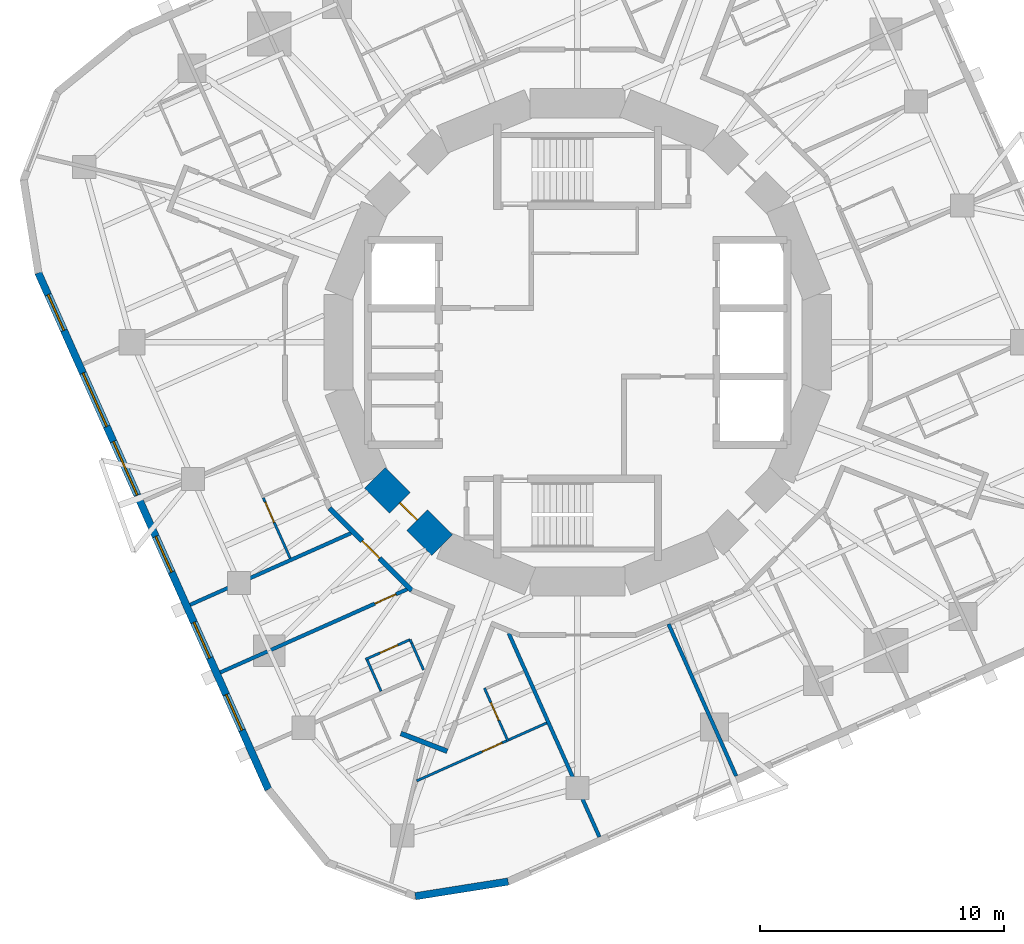
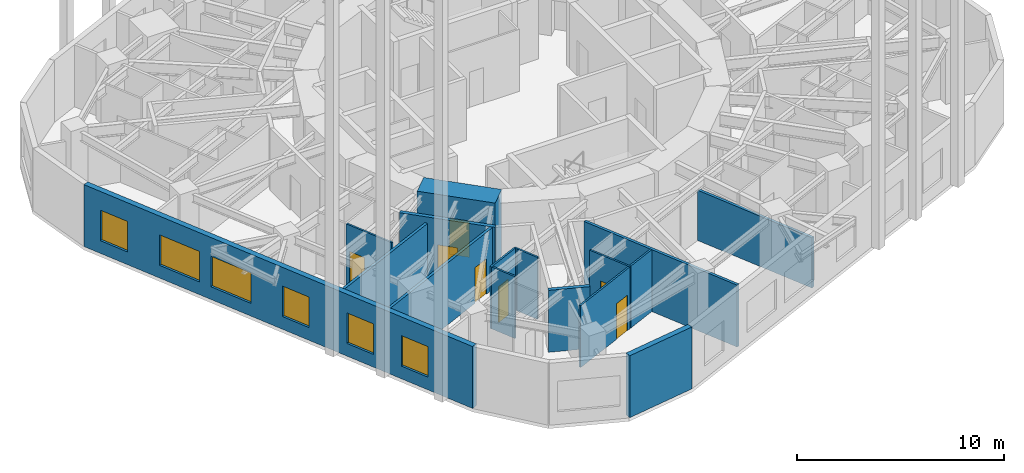
# One storey, part 4 of 11: 17 walls, 7 doors, 6 windows, 13 openings.
"""IFC4 building model written with IfcOpenShell, lengths in metres."""

import ifcopenshell
import ifcopenshell.guid

model = None  # the IFC model being written
_history = None  # IfcOwnerHistory: only IFC2X3 demands one
_inside = {}  # id of a spatial element -> (the spatial element, [elements in it])
_under = {}  # id of a project, library or spatial element -> (it, [spatial elements below it])
_declared = {}  # id of a project -> (the project, [libraries it declares])
_typed = {}  # id of a type object -> (the type object, [elements of that type])
_made_of = {}  # id of a material, layer set ... -> (it, [elements and type objects made of it])


def new_model(schema):
    """Start an empty IFC model of exactly this schema.

    Asked for "IFC4X3", IfcOpenShell would pick the latest addendum, in which some entities
    have other attributes; the version numbers below select the first issue.
    IFC2X3 requires an IfcOwnerHistory on every rooted entity: one is made here for all.
    """
    global model, _history
    if schema == "IFC4X3":
        model = ifcopenshell.file(schema_version=(4, 3, 0, 0))
    else:
        model = ifcopenshell.file(schema=schema)
    _inside.clear()
    _under.clear()
    _declared.clear()
    _typed.clear()
    _made_of.clear()
    _history = None
    if model.schema == "IFC2X3":
        org = make("IfcOrganization", Name="unknown")
        user = make(
            "IfcPersonAndOrganization",
            ThePerson=make("IfcPerson", FamilyName="unknown"),
            TheOrganization=org,
        )
        app = make(
            "IfcApplication",
            ApplicationDeveloper=org,
            Version="unknown",
            ApplicationFullName="unknown",
            ApplicationIdentifier="unknown",
        )
        _history = make(
            "IfcOwnerHistory",
            OwningUser=user,
            OwningApplication=app,
            ChangeAction="ADDED",
            CreationDate=0,
        )
    return model


def make(cls, **values):
    """One entity of the class cls with the attributes given. An attribute that is None is left unset."""
    return model.create_entity(
        cls, **{name: value for name, value in values.items() if value is not None}
    )


def rooted(cls, **values):
    """An entity with a GlobalId (a new one), such as an element, a storey or a relation."""
    return make(cls, GlobalId=ifcopenshell.guid.new(), OwnerHistory=_history, **values)


def si_unit(unit_type, name, prefix=None):
    """IfcSIUnit, for example si_unit("LENGTHUNIT", "METRE", prefix="MILLI")."""
    return make("IfcSIUnit", UnitType=unit_type, Prefix=prefix, Name=name)


def assignment(units):
    """IfcUnitAssignment: the units of a project."""
    return None if units is None else make("IfcUnitAssignment", Units=units)


def point(xyz):
    """IfcCartesianPoint."""
    return None if xyz is None else make("IfcCartesianPoint", Coordinates=xyz)


def direction(xyz):
    """IfcDirection."""
    return None if xyz is None else make("IfcDirection", DirectionRatios=xyz)


def frame(location, z_axis=None, x_axis=None):
    """IfcAxis2Placement3D, a coordinate frame: its origin and axes. An axis left out is left unset."""
    return make(
        "IfcAxis2Placement3D",
        Location=point(location),
        Axis=direction(z_axis),
        RefDirection=direction(x_axis),
    )


def frame_2d(location, x_axis=None):
    """IfcAxis2Placement2D, a coordinate frame in the plane: its origin and x axis."""
    return make(
        "IfcAxis2Placement2D", Location=point(location), RefDirection=direction(x_axis)
    )


def origin():
    """The frame at (0, 0, 0) with its axes left unset."""
    return frame((0.0, 0.0, 0.0))


def place(relative_to, where):
    """IfcLocalPlacement: puts the frame where relative to a parent placement (None: the world)."""
    return make(
        "IfcLocalPlacement", PlacementRelTo=relative_to, RelativePlacement=where
    )


def context(
    kind, dimensions, precision=None, world=None, true_north=None, identifier=None
):
    """IfcGeometricRepresentationContext, for example the 3D "Model" context."""
    return make(
        "IfcGeometricRepresentationContext",
        ContextIdentifier=identifier,
        ContextType=kind,
        CoordinateSpaceDimension=dimensions,
        Precision=precision,
        WorldCoordinateSystem=world,
        TrueNorth=true_north,
    )


def subcontext(parent, identifier, kind, view, scale=None):
    """IfcGeometricRepresentationSubContext, for example "Body" below "Model"."""
    return make(
        "IfcGeometricRepresentationSubContext",
        ContextIdentifier=identifier,
        ContextType=kind,
        ParentContext=parent,
        TargetScale=scale,
        TargetView=view,
    )


def project(units=None, contexts=None):
    """IfcProject with its units and contexts."""
    return rooted(
        "IfcProject",
        Name="project",
        RepresentationContexts=contexts,
        UnitsInContext=assignment(units),
    )


def spatial(cls, under=None, at=None, **own):
    """A site, building, storey or space (cls), placed at a placement, below another one or the project."""
    s = rooted(cls, ObjectPlacement=at, **own)
    if under is not None:
        _under.setdefault(under.id(), (under, []))[1].append(s)
    return s


def profile(cls, at=None, kind="AREA", **sizes):
    """A parametric profile (cls). Its sizes go by their IFC names, for example OverallWidth=200.0."""
    return make(cls, ProfileType=kind, Position=at, **sizes)


def rectangle(**sizes):
    """IfcRectangleProfileDef."""
    return profile("IfcRectangleProfileDef", **sizes)


def extrude(swept, where, along, depth):
    """IfcExtrudedAreaSolid: the profile swept, set in the frame where, extruded along a direction by depth."""
    return make(
        "IfcExtrudedAreaSolid",
        SweptArea=swept,
        Position=where,
        ExtrudedDirection=direction(along),
        Depth=depth,
    )


def shape(context_of_items, identifier, shape_type, items):
    """IfcShapeRepresentation: the items that make up one representation, for example the "Body"."""
    return make(
        "IfcShapeRepresentation",
        ContextOfItems=context_of_items,
        RepresentationIdentifier=identifier,
        RepresentationType=shape_type,
        Items=items,
    )


def material(Name=None, Category=None):
    """IfcMaterial."""
    return make("IfcMaterial", Name=Name, Category=Category)


def layer(
    of_material, thickness, ventilated=None, Name=None, Category=None, Priority=None
):
    """IfcMaterialLayer: one layer of a wall or slab, of a material (None: an air gap)."""
    return make(
        "IfcMaterialLayer",
        Material=of_material,
        LayerThickness=thickness,
        IsVentilated=ventilated,
        Name=Name,
        Category=Category,
        Priority=Priority,
    )


def layer_set(layers, Name=None):
    """IfcMaterialLayerSet."""
    return make("IfcMaterialLayerSet", MaterialLayers=layers, LayerSetName=Name)


def made_of(thing, what):
    """Note that an element or type object is made of a material, layer set ...; save() writes the relation."""
    if what is not None:
        _made_of.setdefault(what.id(), (what, []))[1].append(thing)
    return thing


def type_object(cls, material=None, **own):
    """A type object (cls), such as IfcWallType, which elements share."""
    return made_of(rooted(cls, **own), material)


def element(
    cls,
    number,
    at=None,
    inside=None,
    cuts=None,
    type_object=None,
    material=None,
    context=None,
    identifier="Body",
    shape_type=None,
    held_by="IfcProductDefinitionShape",
    body=None,
    shapes=None,
    **own,
):
    """One element of the class cls, such as IfcWall. Its Tag is "e" and its number.

    at: its placement. inside: the storey or other place that contains it. cuts: it is an
    opening in that element (IfcRelVoidsElement). A single representation is given by context,
    identifier, shape_type and body (its items); several are given by shapes. held_by: the class
    of the entity that holds the representations. save() writes the other relations.
    """
    e = rooted(cls, Tag="e%d" % number, ObjectPlacement=at, **own)
    if body is not None:
        shapes = [shape(context, identifier, shape_type, body)]
    if shapes is not None:
        e.Representation = make(held_by, Representations=shapes)
    if inside is not None:
        _inside.setdefault(inside.id(), (inside, []))[1].append(e)
    if cuts is not None:
        rooted(
            "IfcRelVoidsElement", RelatingBuildingElement=cuts, RelatedOpeningElement=e
        )
    if type_object is not None:
        _typed.setdefault(type_object.id(), (type_object, []))[1].append(e)
    return made_of(e, material)


def fill(opening, filler):
    """IfcRelFillsElement: the door or window that sits in an opening."""
    return rooted(
        "IfcRelFillsElement",
        RelatingOpeningElement=opening,
        RelatedBuildingElement=filler,
    )


def aggregate(whole, parts):
    """IfcRelAggregates: a whole, such as a stair, and the parts it consists of."""
    return rooted("IfcRelAggregates", RelatingObject=whole, RelatedObjects=parts)


def save(model, path):
    """Write the relations noted so far, then the file.

    IfcRelAggregates (storeys below a building ...), IfcRelContainedInSpatialStructure (elements
    in a storey), IfcRelDefinesByType, IfcRelAssociatesMaterial and IfcRelDeclares: one each for
    every whole, place, type object, material and project.
    """
    for whole, parts in _under.values():
        aggregate(whole, parts)
    for where, things in _inside.values():
        rooted(
            "IfcRelContainedInSpatialStructure",
            RelatedElements=things,
            RelatingStructure=where,
        )
    for kind, things in _typed.values():
        rooted("IfcRelDefinesByType", RelatedObjects=things, RelatingType=kind)
    for what, things in _made_of.values():
        rooted("IfcRelAssociatesMaterial", RelatedObjects=things, RelatingMaterial=what)
    for by, libraries in _declared.values():
        rooted("IfcRelDeclares", RelatingContext=by, RelatedDefinitions=libraries)
    model.write(path)


model = new_model("IFC4")

# Units and contexts
model_context = context("Model", 3, precision=1e-05, world=origin(), true_north=direction((0.0, 1.0)))
body_context = subcontext(model_context, "Body", "Model", "MODEL_VIEW")
ifc_project = project(units=[si_unit("LENGTHUNIT", "METRE"), si_unit("AREAUNIT", "SQUARE_METRE"), si_unit("VOLUMEUNIT", "CUBIC_METRE"), si_unit("PLANEANGLEUNIT", "RADIAN"), si_unit("MASSUNIT", "GRAM", prefix="KILO")], contexts=[model_context])

# Site, building, storey
site_placement = place(None, origin())
site = spatial("IfcSite", under=ifc_project, at=site_placement, CompositionType="ELEMENT")
building_placement = place(site_placement, origin())
building = spatial("IfcBuilding", under=site, at=building_placement, Name="Nakasero Lantern House", CompositionType="ELEMENT")
storey_placement = place(building_placement, frame((0.0, 0.0, 182.449951171875)))
storey = spatial("IfcBuildingStorey", under=building, at=storey_placement, Name="L44", CompositionType="ELEMENT", Elevation=182.449951171875)

# Wall, opening, door
ifc_material_1 = material(Name="Concrete C50/60", Category="concrete")
ifc_layer_1 = layer(ifc_material_1, 1.199951171875)
ifc_layer_set_1 = layer_set([ifc_layer_1], Name="Core wall 1200")
wall_type_1 = type_object("IfcWallType", Name="Core wall 1200", PredefinedType="SHEAR", material=ifc_layer_set_1)
wall_1_placement = place(storey_placement, frame((-8.314697265625, -5.5556640625, 0.0), z_axis=(0.0, 0.0, 1.0), x_axis=(0.707106781187, -0.707106781187, 0.0)))
wall_1 = element("IfcWall", 1, at=wall_1_placement, inside=storey, type_object=wall_type_1, Name="Core wall L44 facet 10", PredefinedType="SHEAR", context=body_context, shape_type="SweptSolid", body=[
    extrude(rectangle(XDim=3.90185546875, YDim=1.199951171875, at=frame_2d((1.950927734375, 0.0))), origin(), (0.0, 0.0, 1.0), 3.85009765625),
])
opening_1_placement = place(wall_1_placement, frame((1.450927734375, 0.0, 0.0)))
opening_1 = element("IfcOpeningElement", 2, at=opening_1_placement, cuts=wall_1, Name="Opening D05", PredefinedType="OPENING", context=body_context, shape_type="SweptSolid", body=[
    extrude(rectangle(XDim=1.0, YDim=2.10009765625, at=frame_2d((0.5, 1.050048828125))), frame((0.0, 0.619873046875, 0.0), z_axis=(0.0, -1.0, 0.0), x_axis=(1.0, 0.0, 0.0)), (0.0, 0.0, 1.0), 1.239990234375),
])
ifc_material_2 = material(Name="Timber C24", Category="wood")
door_type_1 = type_object("IfcDoorType", Name="Core door FD60S 1000", OperationType="SINGLE_SWING_LEFT", PredefinedType="DOOR", material=ifc_material_2)
door_1_placement = place(opening_1_placement, origin())
door_1 = element("IfcDoor", 3, at=door_1_placement, inside=storey, type_object=door_type_1, Name="Door L44 D-CORE10", OperationType="SINGLE_SWING_LEFT", OverallHeight=2.10009765625, OverallWidth=1.0, PredefinedType="DOOR", context=body_context, shape_type="SweptSolid", body=[
    extrude(rectangle(XDim=1.0, YDim=2.10009765625, at=frame_2d((0.5, 1.050048828125))), frame((0.0, 0.02490234375, 0.0), z_axis=(0.0, -1.0, 0.0), x_axis=(1.0, 0.0, 0.0)), (0.0, 0.0, 1.0), 0.050048828125),
])
fill(opening_1, door_1)

ifc_material_3 = material(Name="Blockwork", Category="masonry")
ifc_layer_2 = layer(ifc_material_3, 0.199951171875)
ifc_layer_set_2 = layer_set([ifc_layer_2], Name="Corridor wall 200")
wall_type_2 = type_object("IfcWallType", Name="Corridor wall 200", PredefinedType="PARTITIONING", material=ifc_layer_set_2)
wall_2_placement = place(storey_placement, frame((-6.802001953125, -10.1796875, 0.0), z_axis=(0.0, 0.0, 1.0), x_axis=(-0.707106781187, 0.707106781187, 0.0)))
wall_2 = element("IfcWall", 4, at=wall_2_placement, inside=storey, type_object=wall_type_2, Name="Corridor wall L44 RC06a", PredefinedType="PARTITIONING", context=body_context, shape_type="SweptSolid", body=[
    extrude(rectangle(XDim=4.77685546875, YDim=0.199951171875, at=frame_2d((2.388427734375, 0.0))), origin(), (0.0, 0.0, 1.0), 3.650146484375),
])
opening_2_placement = place(wall_2_placement, frame((1.8701171875, 0.0, 0.0)))
opening_2 = element("IfcOpeningElement", 5, at=opening_2_placement, cuts=wall_2, Name="Opening D14", PredefinedType="OPENING", context=body_context, shape_type="SweptSolid", body=[
    extrude(rectangle(XDim=1.0, YDim=2.10009765625, at=frame_2d((0.5, 1.050048828125))), frame((0.0, 0.119873046875, 0.0), z_axis=(0.0, -1.0, 0.0), x_axis=(1.0, 0.0, 0.0)), (0.0, 0.0, 1.0), 0.239990234375),
])
ifc_material_4 = material(Name="Timber C24", Category="wood")
door_type_2 = type_object("IfcDoorType", Name="Cluster entrance door FD30S 1000", OperationType="SINGLE_SWING_LEFT", PredefinedType="DOOR", material=ifc_material_4)
door_2_placement = place(opening_2_placement, origin())
door_2 = element("IfcDoor", 6, at=door_2_placement, inside=storey, type_object=door_type_2, Name="Door L44 D2-04", OperationType="SINGLE_SWING_LEFT", OverallHeight=2.10009765625, OverallWidth=1.0, PredefinedType="DOOR", context=body_context, shape_type="SweptSolid", body=[
    extrude(rectangle(XDim=1.0, YDim=2.10009765625, at=frame_2d((0.5, 1.050048828125))), frame((0.0, 0.02490234375, 0.0), z_axis=(0.0, -1.0, 0.0), x_axis=(1.0, 0.0, 0.0)), (0.0, 0.0, 1.0), 0.050048828125),
])
fill(opening_2, door_2)

# Wall
wall_3_placement = place(storey_placement, frame((-7.25146484375, -16.044677734375, 0.0), z_axis=(0.0, 0.0, 1.0), x_axis=(0.933545964475, -0.358457713283, 0.0)))
element("IfcWall", 7, at=wall_3_placement, inside=storey, type_object=wall_type_2, Name="Corridor wall L44 SP2e", PredefinedType="PARTITIONING", context=body_context, shape_type="SweptSolid", body=[
    extrude(rectangle(XDim=2.039794921875, YDim=0.199951171875, at=frame_2d((1.02001953125, 0.0))), origin(), (0.0, 0.0, 1.0), 3.650146484375),
])

# Wall, opening, door
ifc_material_5 = material(Name="Blockwork", Category="masonry")
ifc_layer_3 = layer(ifc_material_5, 0.10009765625)
ifc_layer_set_3 = layer_set([ifc_layer_3], Name="En-suite wall 100")
wall_type_3 = type_object("IfcWallType", Name="En-suite wall 100", PredefinedType="PARTITIONING", material=ifc_layer_set_3)
wall_4_placement = place(storey_placement, frame((-6.87158203125, -12.19384765625, 0.0), z_axis=(0.0, 0.0, 1.0), x_axis=(-0.913549606868, -0.406727323635, 0.0)))
wall_4 = element("IfcWall", 8, at=wall_4_placement, inside=storey, type_object=wall_type_3, Name="En-suite wall L44 ES2-05", PredefinedType="PARTITIONING", context=body_context, shape_type="SweptSolid", body=[
    extrude(rectangle(XDim=2.0, YDim=0.10009765625, at=frame_2d((1.0, 0.0))), origin(), (0.0, 0.0, 1.0), 3.650146484375),
])
opening_3_placement = place(wall_4_placement, frame((0.550048828125, 0.0, 0.0)))
opening_3 = element("IfcOpeningElement", 9, at=opening_3_placement, cuts=wall_4, Name="Opening D02", PredefinedType="OPENING", context=body_context, shape_type="SweptSolid", body=[
    extrude(rectangle(XDim=0.800048828125, YDim=2.10009765625, at=frame_2d((0.39990234375, 1.050048828125))), frame((0.0, 0.070068359375, 0.0), z_axis=(0.0, -1.0, 0.0), x_axis=(1.0, 0.0, 0.0)), (0.0, 0.0, 1.0), 0.14013671875),
])
ifc_material_6 = material(Name="Timber C24", Category="wood")
door_type_3 = type_object("IfcDoorType", Name="En-suite door 800", OperationType="SINGLE_SWING_RIGHT", PredefinedType="DOOR", material=ifc_material_6)
door_3_placement = place(opening_3_placement, origin())
door_3 = element("IfcDoor", 10, at=door_3_placement, inside=storey, type_object=door_type_3, Name="Door L44 DE2-05", OperationType="SINGLE_SWING_LEFT", OverallHeight=2.10009765625, OverallWidth=0.800048828125, PredefinedType="DOOR", context=body_context, shape_type="SweptSolid", body=[
    extrude(rectangle(XDim=0.800048828125, YDim=2.10009765625, at=frame_2d((0.39990234375, 1.050048828125))), frame((0.0, 0.02490234375, 0.0), z_axis=(0.0, -1.0, 0.0), x_axis=(1.0, 0.0, 0.0)), (0.0, 0.0, 1.0), 0.050048828125),
])
fill(opening_3, door_3)

# Wall
wall_5_placement = place(storey_placement, frame((-8.632568359375, -13.032470703125, 0.0), z_axis=(0.0, 0.0, 1.0), x_axis=(0.406656150203, -0.91358129113, 0.0)))
element("IfcWall", 11, at=wall_5_placement, inside=storey, type_object=wall_type_3, Name="En-suite wall L44 EE2-05", PredefinedType="PARTITIONING", context=body_context, shape_type="SweptSolid", body=[
    extrude(rectangle(XDim=1.400146484375, YDim=0.10009765625, at=frame_2d((0.7001953125, 0.0))), origin(), (0.0, 0.0, 1.0), 3.650146484375),
])

# Wall, opening, door
wall_6_placement = place(storey_placement, frame((-3.822998046875, -14.180908203125, 0.0), z_axis=(0.0, 0.0, 1.0), x_axis=(0.40677069889, -0.913530294257, 0.0)))
wall_6 = element("IfcWall", 12, at=wall_6_placement, inside=storey, type_object=wall_type_3, Name="En-suite wall L44 ES3-00", PredefinedType="PARTITIONING", context=body_context, shape_type="SweptSolid", body=[
    extrude(rectangle(XDim=2.400146484375, YDim=0.10009765625, at=frame_2d((1.2001953125, 0.0))), origin(), (0.0, 0.0, 1.0), 3.650146484375),
])
opening_4_placement = place(wall_6_placement, frame((0.64990234375, 0.0, 0.0)))
opening_4 = element("IfcOpeningElement", 13, at=opening_4_placement, cuts=wall_6, Name="Opening D02", PredefinedType="OPENING", context=body_context, shape_type="SweptSolid", body=[
    extrude(rectangle(XDim=0.800048828125, YDim=2.10009765625, at=frame_2d((0.39990234375, 1.050048828125))), frame((0.0, 0.070068359375, 0.0), z_axis=(0.0, -1.0, 0.0), x_axis=(1.0, 0.0, 0.0)), (0.0, 0.0, 1.0), 0.14013671875),
])
door_4_placement = place(opening_4_placement, origin())
door_4 = element("IfcDoor", 14, at=door_4_placement, inside=storey, type_object=door_type_3, Name="Door L44 DE3-00", OperationType="SINGLE_SWING_LEFT", OverallHeight=2.10009765625, OverallWidth=0.800048828125, PredefinedType="DOOR", context=body_context, shape_type="SweptSolid", body=[
    extrude(rectangle(XDim=0.800048828125, YDim=2.10009765625, at=frame_2d((0.39990234375, 1.050048828125))), frame((0.0, 0.02490234375, 0.0), z_axis=(0.0, -1.0, 0.0), x_axis=(1.0, 0.0, 0.0)), (0.0, 0.0, 1.0), 0.050048828125),
])
fill(opening_4, door_4)

# Wall
wall_7_placement = place(storey_placement, frame((-2.821533203125, -16.307373046875, 0.0), z_axis=(0.0, 0.0, 1.0), x_axis=(0.91357452948, 0.406671340378, 0.0)))
element("IfcWall", 15, at=wall_7_placement, inside=storey, type_object=wall_type_3, Name="En-suite wall L44 EE3-00", PredefinedType="PARTITIONING", context=body_context, shape_type="SweptSolid", body=[
    extrude(rectangle(XDim=1.7001953125, YDim=0.10009765625, at=frame_2d((0.85009765625, 0.0))), origin(), (0.0, 0.0, 1.0), 3.650146484375),
])

# Wall, opening, door
wall_8_placement = place(storey_placement, frame((-12.89501953125, -6.37841796875, 0.0), z_axis=(0.0, 0.0, 1.0), x_axis=(0.406663956603, -0.913577816281, 0.0)))
wall_8 = element("IfcWall", 16, at=wall_8_placement, inside=storey, type_object=wall_type_3, Name="En-suite wall L44 EL2-03", PredefinedType="PARTITIONING", context=body_context, shape_type="SweptSolid", body=[
    extrude(rectangle(XDim=2.71533203125, YDim=0.10009765625, at=frame_2d((1.357666015625, 0.0))), origin(), (0.0, 0.0, 1.0), 3.650146484375),
])
opening_5_placement = place(wall_8_placement, frame((0.199951171875, 0.0, 0.0)))
opening_5 = element("IfcOpeningElement", 17, at=opening_5_placement, cuts=wall_8, Name="Opening D17", PredefinedType="OPENING", context=body_context, shape_type="SweptSolid", body=[
    extrude(rectangle(XDim=0.89990234375, YDim=2.10009765625, at=frame_2d((0.449951171875, 1.050048828125))), frame((0.0, 0.070068359375, 0.0), z_axis=(0.0, -1.0, 0.0), x_axis=(1.0, 0.0, 0.0)), (0.0, 0.0, 1.0), 0.14013671875),
])
ifc_material_7 = material(Name="Timber C24", Category="wood")
door_type_4 = type_object("IfcDoorType", Name="Bedroom door FD30S 900", OperationType="SINGLE_SWING_LEFT", PredefinedType="DOOR", material=ifc_material_7)
door_5_placement = place(opening_5_placement, origin())
door_5 = element("IfcDoor", 18, at=door_5_placement, inside=storey, type_object=door_type_4, Name="Door L44 DL2-03", OperationType="SINGLE_SWING_LEFT", OverallHeight=2.10009765625, OverallWidth=0.89990234375, PredefinedType="DOOR", context=body_context, shape_type="SweptSolid", body=[
    extrude(rectangle(XDim=0.89990234375, YDim=2.10009765625, at=frame_2d((0.449951171875, 1.050048828125))), frame((0.0, 0.02490234375, 0.0), z_axis=(0.0, -1.0, 0.0), x_axis=(1.0, 0.0, 0.0)), (0.0, 0.0, 1.0), 0.050048828125),
])
fill(opening_5, door_5)

wall_9_placement = place(storey_placement, frame((-6.6005859375, -17.989990234375, 0.0), z_axis=(0.0, 0.0, 1.0), x_axis=(0.91354948676, 0.40672759341, 0.0)))
wall_9 = element("IfcWall", 19, at=wall_9_placement, inside=storey, type_object=wall_type_3, Name="En-suite wall L44 EL3-00", PredefinedType="PARTITIONING", context=body_context, shape_type="SweptSolid", body=[
    extrude(rectangle(XDim=4.03662109375, YDim=0.10009765625, at=frame_2d((2.018310546875, 0.0))), origin(), (0.0, 0.0, 1.0), 3.650146484375),
])
opening_6_placement = place(wall_9_placement, frame((2.936767578125, 0.0, 0.0)))
opening_6 = element("IfcOpeningElement", 20, at=opening_6_placement, cuts=wall_9, Name="Opening D17", PredefinedType="OPENING", context=body_context, shape_type="SweptSolid", body=[
    extrude(rectangle(XDim=0.89990234375, YDim=2.10009765625, at=frame_2d((0.449951171875, 1.050048828125))), frame((0.0, 0.070068359375, 0.0), z_axis=(0.0, -1.0, 0.0), x_axis=(1.0, 0.0, 0.0)), (0.0, 0.0, 1.0), 0.14013671875),
])
door_6_placement = place(opening_6_placement, origin())
door_6 = element("IfcDoor", 21, at=door_6_placement, inside=storey, type_object=door_type_4, Name="Door L44 DL3-00", OperationType="SINGLE_SWING_RIGHT", OverallHeight=2.10009765625, OverallWidth=0.89990234375, PredefinedType="DOOR", context=body_context, shape_type="SweptSolid", body=[
    extrude(rectangle(XDim=0.89990234375, YDim=2.10009765625, at=frame_2d((0.449951171875, 1.050048828125))), frame((0.0, 0.02490234375, 0.0), z_axis=(0.0, -1.0, 0.0), x_axis=(1.0, 0.0, 0.0)), (0.0, 0.0, 1.0), 0.050048828125),
])
fill(opening_6, door_6)

# Walls
wall_10_placement = place(storey_placement, frame((-6.31640625, -13.44091796875, 0.0), z_axis=(0.0, 0.0, 1.0), x_axis=(-0.406570722702, 0.9136193121, 0.0)))
element("IfcWall", 22, at=wall_10_placement, inside=storey, type_object=wall_type_3, Name="En-suite wall L44 EX002", PredefinedType="PARTITIONING", context=body_context, shape_type="SweptSolid", body=[
    extrude(rectangle(XDim=1.205078125, YDim=0.10009765625, at=frame_2d((0.6025390625, 0.0))), origin(), (0.0, 0.0, 1.0), 3.650146484375),
])
wall_11_placement = place(storey_placement, frame((-6.87158203125, -12.19384765625, 0.0), z_axis=(0.0, 0.0, 1.0), x_axis=(0.407696311466, -0.913117581485, 0.0)))
element("IfcWall", 23, at=wall_11_placement, inside=storey, type_object=wall_type_3, Name="En-suite wall L44 ES2-05R0", PredefinedType="PARTITIONING", context=body_context, shape_type="SweptSolid", body=[
    extrude(rectangle(XDim=0.159912109375, YDim=0.10009765625, at=frame_2d((0.080078125, 0.0))), origin(), (0.0, 0.0, 1.0), 3.650146484375),
])

# Wall, openings, windows
ifc_material_8 = material(Name="Aluminium rainscreen on blockwork", Category="masonry")
ifc_layer_4 = layer(ifc_material_8, 0.300048828125)
ifc_layer_set_4 = layer_set([ifc_layer_4], Name="Facade wall 300")
wall_type_4 = type_object("IfcWallType", Name="Facade wall 300", PredefinedType="SOLIDWALL", material=ifc_layer_set_4)
wall_12_placement = place(storey_placement, frame((-22.12109375, 2.848876953125, 0.0), z_axis=(0.0, 0.0, 1.0), x_axis=(0.406734951338, -0.913546210851, 0.0)))
wall_12 = element("IfcWall", 24, at=wall_12_placement, inside=storey, type_object=wall_type_4, Name="Facade wall L44 FW2S", PredefinedType="SOLIDWALL", context=body_context, shape_type="SweptSolid", body=[
    extrude(rectangle(XDim=23.199951171875, YDim=0.300048828125, at=frame_2d((11.60009765625, 0.0))), origin(), (0.0, 0.0, 1.0), 3.650146484375),
])
opening_7_placement = place(wall_12_placement, frame((0.982421875, 0.0, 0.75)))
opening_7 = element("IfcOpeningElement", 25, at=opening_7_placement, cuts=wall_12, Name="Opening W01", PredefinedType="OPENING", context=body_context, shape_type="SweptSolid", body=[
    extrude(rectangle(XDim=1.60009765625, YDim=1.800048828125, at=frame_2d((0.800048828125, 0.89990234375))), frame((0.0, 0.169921875, 0.0), z_axis=(0.0, -1.0, 0.0), x_axis=(1.0, 0.0, 0.0)), (0.0, 0.0, 1.0), 0.340087890625),
])
opening_8_placement = place(wall_12_placement, frame((11.83984375, 0.0, 0.75)))
opening_8 = element("IfcOpeningElement", 26, at=opening_8_placement, cuts=wall_12, Name="Opening W01", PredefinedType="OPENING", context=body_context, shape_type="SweptSolid", body=[
    extrude(rectangle(XDim=1.60009765625, YDim=1.800048828125, at=frame_2d((0.800048828125, 0.89990234375))), frame((0.0, 0.169921875, 0.0), z_axis=(0.0, -1.0, 0.0), x_axis=(1.0, 0.0, 0.0)), (0.0, 0.0, 1.0), 0.340087890625),
])
opening_9_placement = place(wall_12_placement, frame((15.69140625, 0.0, 0.75)))
opening_9 = element("IfcOpeningElement", 27, at=opening_9_placement, cuts=wall_12, Name="Opening W01", PredefinedType="OPENING", context=body_context, shape_type="SweptSolid", body=[
    extrude(rectangle(XDim=1.60009765625, YDim=1.800048828125, at=frame_2d((0.800048828125, 0.89990234375))), frame((0.0, 0.169921875, 0.0), z_axis=(0.0, -1.0, 0.0), x_axis=(1.0, 0.0, 0.0)), (0.0, 0.0, 1.0), 0.340087890625),
])
opening_10_placement = place(wall_12_placement, frame((18.940185546875, 0.0, 0.75)))
opening_10 = element("IfcOpeningElement", 28, at=opening_10_placement, cuts=wall_12, Name="Opening W01", PredefinedType="OPENING", context=body_context, shape_type="SweptSolid", body=[
    extrude(rectangle(XDim=1.60009765625, YDim=1.800048828125, at=frame_2d((0.800048828125, 0.89990234375))), frame((0.0, 0.169921875, 0.0), z_axis=(0.0, -1.0, 0.0), x_axis=(1.0, 0.0, 0.0)), (0.0, 0.0, 1.0), 0.340087890625),
])
opening_11_placement = place(wall_12_placement, frame((4.500244140625, 0.0, 0.75)))
opening_11 = element("IfcOpeningElement", 29, at=opening_11_placement, cuts=wall_12, Name="Opening W03", PredefinedType="OPENING", context=body_context, shape_type="SweptSolid", body=[
    extrude(rectangle(XDim=2.39990234375, YDim=1.800048828125, at=frame_2d((1.199951171875, 0.89990234375))), frame((0.0, 0.169921875, 0.0), z_axis=(0.0, -1.0, 0.0), x_axis=(1.0, 0.0, 0.0)), (0.0, 0.0, 1.0), 0.340087890625),
])
opening_12_placement = place(wall_12_placement, frame((7.571533203125, 0.0, 0.75)))
opening_12 = element("IfcOpeningElement", 30, at=opening_12_placement, cuts=wall_12, Name="Opening W03", PredefinedType="OPENING", context=body_context, shape_type="SweptSolid", body=[
    extrude(rectangle(XDim=2.39990234375, YDim=1.800048828125, at=frame_2d((1.199951171875, 0.89990234375))), frame((0.0, 0.169921875, 0.0), z_axis=(0.0, -1.0, 0.0), x_axis=(1.0, 0.0, 0.0)), (0.0, 0.0, 1.0), 0.340087890625),
])
ifc_material_9 = material(Name="Aluminium 6063-T6 and glass", Category="aluminium")
window_type_1 = type_object("IfcWindowType", Name="Bedroom window 1600x1800", PartitioningType="SINGLE_PANEL", PredefinedType="WINDOW", material=ifc_material_9)
window_1_placement = place(opening_7_placement, origin())
window_1 = element("IfcWindow", 31, at=window_1_placement, inside=storey, type_object=window_type_1, Name="Window L44 WN2-00", OverallHeight=1.800048828125, OverallWidth=1.60009765625, PartitioningType="SINGLE_PANEL", PredefinedType="WINDOW", context=body_context, shape_type="SweptSolid", body=[
    extrude(rectangle(XDim=1.60009765625, YDim=1.800048828125, at=frame_2d((0.800048828125, 0.89990234375))), frame((0.0, 0.030029296875, 0.0), z_axis=(0.0, -1.0, 0.0), x_axis=(1.0, 0.0, 0.0)), (0.0, 0.0, 1.0), 0.06005859375),
])
fill(opening_7, window_1)
window_2_placement = place(opening_8_placement, origin())
window_2 = element("IfcWindow", 32, at=window_2_placement, inside=storey, type_object=window_type_1, Name="Window L44 WN2-03", OverallHeight=1.800048828125, OverallWidth=1.60009765625, PartitioningType="SINGLE_PANEL", PredefinedType="WINDOW", context=body_context, shape_type="SweptSolid", body=[
    extrude(rectangle(XDim=1.60009765625, YDim=1.800048828125, at=frame_2d((0.800048828125, 0.89990234375))), frame((0.0, 0.030029296875, 0.0), z_axis=(0.0, -1.0, 0.0), x_axis=(1.0, 0.0, 0.0)), (0.0, 0.0, 1.0), 0.06005859375),
])
fill(opening_8, window_2)
window_3_placement = place(opening_9_placement, origin())
window_3 = element("IfcWindow", 33, at=window_3_placement, inside=storey, type_object=window_type_1, Name="Window L44 WN2-04", OverallHeight=1.800048828125, OverallWidth=1.60009765625, PartitioningType="SINGLE_PANEL", PredefinedType="WINDOW", context=body_context, shape_type="SweptSolid", body=[
    extrude(rectangle(XDim=1.60009765625, YDim=1.800048828125, at=frame_2d((0.800048828125, 0.89990234375))), frame((0.0, 0.030029296875, 0.0), z_axis=(0.0, -1.0, 0.0), x_axis=(1.0, 0.0, 0.0)), (0.0, 0.0, 1.0), 0.06005859375),
])
fill(opening_9, window_3)
window_4_placement = place(opening_10_placement, origin())
window_4 = element("IfcWindow", 34, at=window_4_placement, inside=storey, type_object=window_type_1, Name="Window L44 WN2-05", OverallHeight=1.800048828125, OverallWidth=1.60009765625, PartitioningType="SINGLE_PANEL", PredefinedType="WINDOW", context=body_context, shape_type="SweptSolid", body=[
    extrude(rectangle(XDim=1.60009765625, YDim=1.800048828125, at=frame_2d((0.800048828125, 0.89990234375))), frame((0.0, 0.030029296875, 0.0), z_axis=(0.0, -1.0, 0.0), x_axis=(1.0, 0.0, 0.0)), (0.0, 0.0, 1.0), 0.06005859375),
])
fill(opening_10, window_4)
ifc_material_10 = material(Name="Aluminium 6063-T6 and glass", Category="aluminium")
window_type_2 = type_object("IfcWindowType", Name="Lounge window 2400x1800", PartitioningType="SINGLE_PANEL", PredefinedType="WINDOW", material=ifc_material_10)
window_5_placement = place(opening_11_placement, origin())
window_5 = element("IfcWindow", 35, at=window_5_placement, inside=storey, type_object=window_type_2, Name="Window L44 WK2", OverallHeight=1.800048828125, OverallWidth=2.39990234375, PartitioningType="SINGLE_PANEL", PredefinedType="WINDOW", context=body_context, shape_type="SweptSolid", body=[
    extrude(rectangle(XDim=2.39990234375, YDim=1.800048828125, at=frame_2d((1.199951171875, 0.89990234375))), frame((0.0, 0.030029296875, 0.0), z_axis=(0.0, -1.0, 0.0), x_axis=(1.0, 0.0, 0.0)), (0.0, 0.0, 1.0), 0.06005859375),
])
fill(opening_11, window_5)
window_6_placement = place(opening_12_placement, origin())
window_6 = element("IfcWindow", 36, at=window_6_placement, inside=storey, type_object=window_type_2, Name="Window L44 WL2", OverallHeight=1.800048828125, OverallWidth=2.39990234375, PartitioningType="SINGLE_PANEL", PredefinedType="WINDOW", context=body_context, shape_type="SweptSolid", body=[
    extrude(rectangle(XDim=2.39990234375, YDim=1.800048828125, at=frame_2d((1.199951171875, 0.89990234375))), frame((0.0, 0.030029296875, 0.0), z_axis=(0.0, -1.0, 0.0), x_axis=(1.0, 0.0, 0.0)), (0.0, 0.0, 1.0), 0.06005859375),
])
fill(opening_12, window_6)

# Walls
wall_13_placement = place(storey_placement, frame((-6.65771484375, -22.724365234375, 0.0), z_axis=(0.0, 0.0, 1.0), x_axis=(0.987687906802, 0.156437203878, 0.0)))
element("IfcWall", 37, at=wall_13_placement, inside=storey, type_object=wall_type_4, Name="Facade wall L44 FW2C3", PredefinedType="SOLIDWALL", context=body_context, shape_type="SweptSolid", body=[
    extrude(rectangle(XDim=3.856201171875, YDim=0.300048828125, at=frame_2d((1.92822265625, 0.0))), origin(), (0.0, 0.0, 1.0), 3.650146484375),
])
ifc_material_11 = material(Name="Blockwork", Category="masonry")
ifc_layer_5 = layer(ifc_material_11, 0.14990234375)
ifc_layer_set_5 = layer_set([ifc_layer_5], Name="Party wall 150")
wall_type_5 = type_object("IfcWallType", Name="Party wall 150", PredefinedType="PARTITIONING", material=ifc_layer_set_5)
wall_14_placement = place(storey_placement, frame((-9.293701171875, -7.829345703125, 0.0), z_axis=(0.0, 0.0, 1.0), x_axis=(-0.913535447493, -0.406759125496, 0.0)))
element("IfcWall", 38, at=wall_14_placement, inside=storey, type_object=wall_type_5, Name="Party wall L44 PW2-04", PredefinedType="PARTITIONING", context=body_context, shape_type="SweptSolid", body=[
    extrude(rectangle(XDim=7.225341796875, YDim=0.14990234375, at=frame_2d((3.61279296875, 0.0))), origin(), (0.0, 0.0, 1.0), 3.295166015625),
])

# Wall, opening, door
wall_15_placement = place(storey_placement, frame((-6.99267578125, -10.130615234375, 0.0), z_axis=(0.0, 0.0, 1.0), x_axis=(-0.913547411288, -0.406732255089, 0.0)))
wall_15 = element("IfcWall", 39, at=wall_15_placement, inside=storey, type_object=wall_type_5, Name="Party wall L44 PW2-05", PredefinedType="PARTITIONING", context=body_context, shape_type="SweptSolid", body=[
    extrude(rectangle(XDim=8.3916015625, YDim=0.14990234375, at=frame_2d((4.19580078125, 0.0))), origin(), (0.0, 0.0, 1.0), 3.650146484375),
])
opening_13_placement = place(wall_15_placement, frame((0.5, 0.0, 0.0)))
opening_13 = element("IfcOpeningElement", 40, at=opening_13_placement, cuts=wall_15, Name="Opening D01", PredefinedType="OPENING", context=body_context, shape_type="SweptSolid", body=[
    extrude(rectangle(XDim=0.949951171875, YDim=2.10009765625, at=frame_2d((0.47509765625, 1.050048828125))), frame((0.0, 0.094970703125, 0.0), z_axis=(0.0, -1.0, 0.0), x_axis=(1.0, 0.0, 0.0)), (0.0, 0.0, 1.0), 0.18994140625),
])
ifc_material_12 = material(Name="Timber C24", Category="wood")
door_type_5 = type_object("IfcDoorType", Name="Bedroom door FD30S 950", OperationType="SINGLE_SWING_LEFT", PredefinedType="DOOR", material=ifc_material_12)
door_7_placement = place(opening_13_placement, origin())
door_7 = element("IfcDoor", 41, at=door_7_placement, inside=storey, type_object=door_type_5, Name="Door L44 DS2-05", OperationType="SINGLE_SWING_LEFT", OverallHeight=2.10009765625, OverallWidth=0.949951171875, PredefinedType="DOOR", context=body_context, shape_type="SweptSolid", body=[
    extrude(rectangle(XDim=0.949951171875, YDim=2.10009765625, at=frame_2d((0.47509765625, 1.050048828125))), frame((0.0, 0.02490234375, 0.0), z_axis=(0.0, -1.0, 0.0), x_axis=(1.0, 0.0, 0.0)), (0.0, 0.0, 1.0), 0.050048828125),
])
fill(opening_13, door_7)

# Walls
wall_16_placement = place(storey_placement, frame((-2.824951171875, -11.935302734375, 0.0), z_axis=(0.0, 0.0, 1.0), x_axis=(0.40672291788, -0.91355156837, 0.0)))
element("IfcWall", 42, at=wall_16_placement, inside=storey, type_object=wall_type_5, Name="Party wall L44 PW3-01", PredefinedType="PARTITIONING", context=body_context, shape_type="SweptSolid", body=[
    extrude(rectangle(XDim=9.1455078125, YDim=0.14990234375, at=frame_2d((4.57275390625, 0.0))), origin(), (0.0, 0.0, 1.0), 3.650146484375),
])
wall_17_placement = place(storey_placement, frame((3.7314453125, -11.559814453125, 0.0), z_axis=(0.0, 0.0, 1.0), x_axis=(0.406739408224, -0.913544226514, 0.0)))
element("IfcWall", 43, at=wall_17_placement, inside=storey, type_object=wall_type_5, Name="Party wall L44 PW3-03", PredefinedType="PARTITIONING", context=body_context, shape_type="SweptSolid", body=[
    extrude(rectangle(XDim=6.82177734375, YDim=0.14990234375, at=frame_2d((3.410888671875, 0.0))), origin(), (0.0, 0.0, 1.0), 2.966552734375),
])

save(model, "model.ifc")
